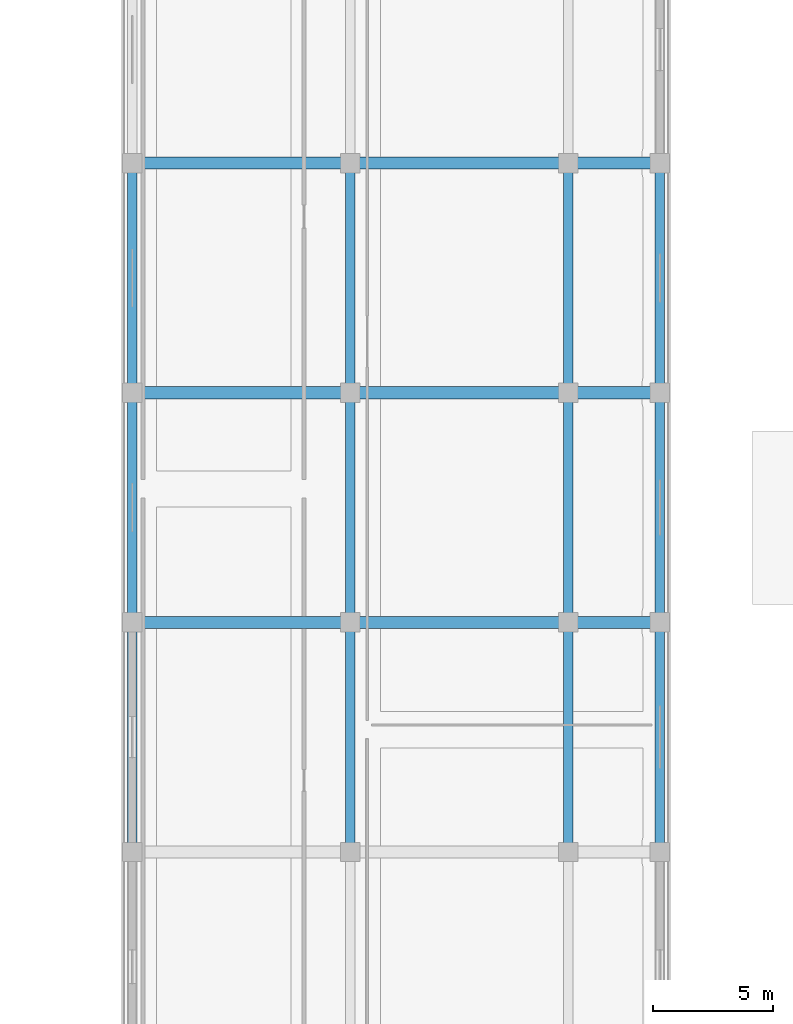
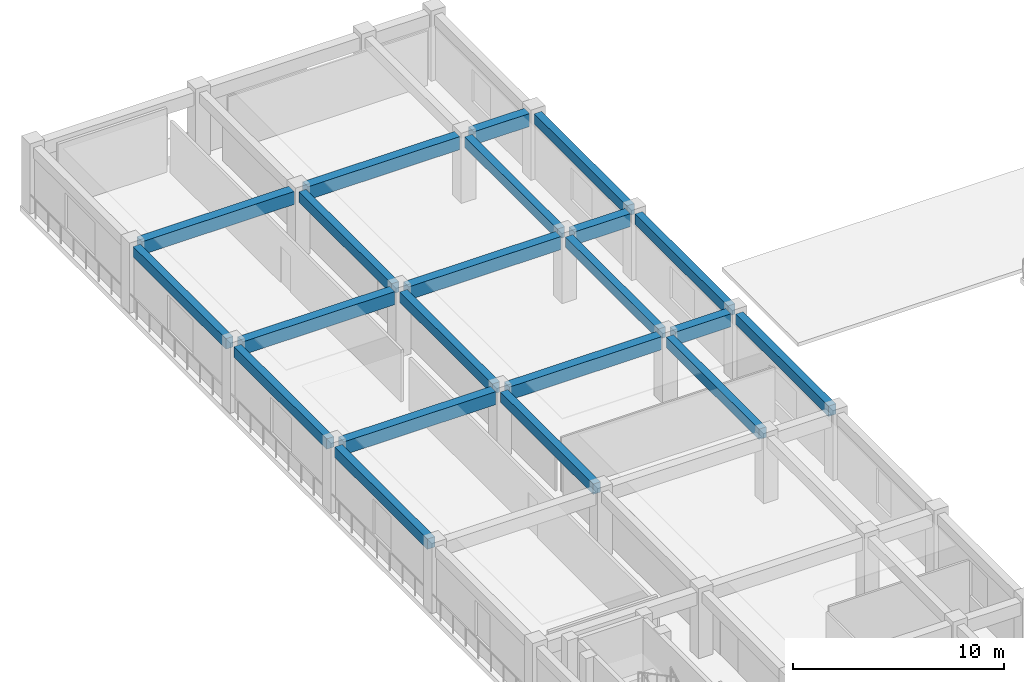
# One storey, part 42 of 87: 21 beams.
"""IFC4 building model written with IfcOpenShell, lengths in metres."""

from ifc_helpers import new_model, si_unit, direction, frame, origin, origin_2d, place, context, subcontext, project, spatial, rectangle, extrude, material, material_profile, profile_set, type_object, element, save


model = new_model("IFC4")

# Units and contexts
model_context = context("Model", 3, precision=1e-05, world=origin(), true_north=direction((0.0, 1.0)))
body_context = subcontext(model_context, "Body", "Model", "MODEL_VIEW")
ifc_project = project(units=[si_unit("LENGTHUNIT", "METRE"), si_unit("AREAUNIT", "SQUARE_METRE"), si_unit("VOLUMEUNIT", "CUBIC_METRE"), si_unit("PLANEANGLEUNIT", "RADIAN"), si_unit("MASSUNIT", "GRAM", prefix="KILO")], contexts=[model_context])

# Site, building, storey
site_placement = place(None, origin())
site = spatial("IfcSite", under=ifc_project, at=site_placement, CompositionType="ELEMENT")
building_placement = place(site_placement, origin())
building = spatial("IfcBuilding", under=site, at=building_placement, Name="Saryqyr Civic Hall", CompositionType="ELEMENT")
storey_placement = place(building_placement, frame((0.0, 0.0, 5.10009765625)))
storey = spatial("IfcBuildingStorey", under=building, at=storey_placement, Name="L01", CompositionType="ELEMENT", Elevation=5.10009765625)

# Beams
ifc_material_1 = material(Name="Concrete C35/45", Category="concrete")
ifc_material_profile_1 = material_profile(ifc_material_1, rectangle(XDim=0.39990234375, YDim=0.60009765625, at=origin_2d()), Name="RC 400x600")
ifc_profile_set_1 = profile_set([ifc_material_profile_1], Name="Concrete C35/45")
beam_type_1 = type_object("IfcBeamType", Name="STR-BM-RC400x600", PredefinedType="BEAM", material=ifc_profile_set_1)
for number, where, z_axis, x_axis, name in (
    (1, (8.050048828125, 127.5048828125, 3.469970703125), (0.0, 1.0, 0.0), (-1.0, 0.0, 0.0), "Beam V3-BM-NS-1-4-L01"),
    (2, (8.050048828125, 137.034912109375, 3.469970703125), (0.0, 1.0, 0.0), (-1.0, 0.0, 0.0), "Beam V3-BM-NS-1-5-L01"),
    (3, (8.050048828125, 146.56494140625, 3.469970703125), (0.0, 1.0, 0.0), (-1.0, 0.0, 0.0), "Beam V3-BM-NS-1-6-L01"),
    (4, (17.10009765625, 127.5048828125, 3.469970703125), (0.0, 1.0, 0.0), (-1.0, 0.0, 0.0), "Beam V3-BM-NS-2-4-L01"),
    (5, (17.10009765625, 137.034912109375, 3.469970703125), (0.0, 1.0, 0.0), (-1.0, 0.0, 0.0), "Beam V3-BM-NS-2-5-L01"),
    (6, (17.10009765625, 146.56494140625, 3.469970703125), (0.0, 1.0, 0.0), (-1.0, 0.0, 0.0), "Beam V3-BM-NS-2-6-L01"),
    (7, (26.14990234375, 127.5048828125, 3.469970703125), (0.0, 1.0, 0.0), (-1.0, 0.0, 0.0), "Beam V3-BM-NS-3-4-L01"),
    (8, (26.14990234375, 137.034912109375, 3.469970703125), (0.0, 1.0, 0.0), (-1.0, 0.0, 0.0), "Beam V3-BM-NS-3-5-L01"),
    (9, (26.14990234375, 146.56494140625, 3.469970703125), (0.0, 1.0, 0.0), (-1.0, 0.0, 0.0), "Beam V3-BM-NS-3-6-L01"),
    (10, (29.949951171875, 127.5048828125, 3.469970703125), (0.0, 1.0, 0.0), (-1.0, 0.0, 0.0), "Beam V3-BM-NS-4-4-L01"),
    (11, (29.949951171875, 137.034912109375, 3.469970703125), (0.0, 1.0, 0.0), (-1.0, 0.0, 0.0), "Beam V3-BM-NS-4-5-L01"),
    (12, (29.949951171875, 146.56494140625, 3.469970703125), (0.0, 1.0, 0.0), (-1.0, 0.0, 0.0), "Beam V3-BM-NS-4-6-L01"),
):
    element("IfcBeam", number, at=place(storey_placement, frame(where, z_axis=z_axis, x_axis=x_axis)), inside=storey, type_object=beam_type_1, Name=name, PredefinedType="BEAM", context=body_context, shape_type="SweptSolid", body=[
        extrude(rectangle(XDim=0.39990234375, YDim=0.60009765625, at=origin_2d()), origin(), (0.0, 0.0, 1.0), 8.780029296875),
    ])
ifc_material_2 = material(Name="Concrete C40/50", Category="concrete")
ifc_material_profile_2 = material_profile(ifc_material_2, rectangle(XDim=0.5, YDim=0.75, at=origin_2d()), Name="RC 500x750")
ifc_profile_set_2 = profile_set([ifc_material_profile_2], Name="Concrete C40/50")
beam_type_2 = type_object("IfcBeamType", Name="STR-BM-RC500x750", PredefinedType="BEAM", material=ifc_profile_set_2)
beam_1_placement = place(storey_placement, frame((8.425048828125, 136.659912109375, 3.39501953125), z_axis=(1.0, 0.0, 0.0), x_axis=(0.0, 1.0, 0.0)))
element("IfcBeam", 13, at=beam_1_placement, inside=storey, type_object=beam_type_2, Name="Beam V3-BM-EW-5-1-L01", PredefinedType="BEAM", context=body_context, shape_type="SweptSolid", body=[
    extrude(rectangle(XDim=0.5, YDim=0.75, at=origin_2d()), origin(), (0.0, 0.0, 1.0), 8.300048828125),
])
beam_2_placement = place(storey_placement, frame((17.47509765625, 136.659912109375, 3.39501953125), z_axis=(1.0, 0.0, 0.0), x_axis=(0.0, 1.0, 0.0)))
element("IfcBeam", 14, at=beam_2_placement, inside=storey, type_object=beam_type_2, Name="Beam V3-BM-EW-5-2-L01", PredefinedType="BEAM", context=body_context, shape_type="SweptSolid", body=[
    extrude(rectangle(XDim=0.5, YDim=0.75, at=origin_2d()), origin(), (0.0, 0.0, 1.0), 8.2998046875),
])
beam_3_placement = place(storey_placement, frame((26.52490234375, 136.659912109375, 3.39501953125), z_axis=(1.0, 0.0, 0.0), x_axis=(0.0, 1.0, 0.0)))
element("IfcBeam", 15, at=beam_3_placement, inside=storey, type_object=beam_type_2, Name="Beam V3-BM-EW-5-3-L01", PredefinedType="BEAM", context=body_context, shape_type="SweptSolid", body=[
    extrude(rectangle(XDim=0.5, YDim=0.75, at=origin_2d()), origin(), (0.0, 0.0, 1.0), 3.050048828125),
])
beam_4_placement = place(storey_placement, frame((8.425048828125, 146.18994140625, 3.39501953125), z_axis=(1.0, 0.0, 0.0), x_axis=(0.0, 1.0, 0.0)))
element("IfcBeam", 16, at=beam_4_placement, inside=storey, type_object=beam_type_2, Name="Beam V3-BM-EW-6-1-L01", PredefinedType="BEAM", context=body_context, shape_type="SweptSolid", body=[
    extrude(rectangle(XDim=0.5, YDim=0.75, at=origin_2d()), origin(), (0.0, 0.0, 1.0), 8.300048828125),
])
beam_5_placement = place(storey_placement, frame((17.47509765625, 146.18994140625, 3.39501953125), z_axis=(1.0, 0.0, 0.0), x_axis=(0.0, 1.0, 0.0)))
element("IfcBeam", 17, at=beam_5_placement, inside=storey, type_object=beam_type_2, Name="Beam V3-BM-EW-6-2-L01", PredefinedType="BEAM", context=body_context, shape_type="SweptSolid", body=[
    extrude(rectangle(XDim=0.5, YDim=0.75, at=origin_2d()), origin(), (0.0, 0.0, 1.0), 8.2998046875),
])
beam_6_placement = place(storey_placement, frame((26.52490234375, 146.18994140625, 3.39501953125), z_axis=(1.0, 0.0, 0.0), x_axis=(0.0, 1.0, 0.0)))
element("IfcBeam", 18, at=beam_6_placement, inside=storey, type_object=beam_type_2, Name="Beam V3-BM-EW-6-3-L01", PredefinedType="BEAM", context=body_context, shape_type="SweptSolid", body=[
    extrude(rectangle(XDim=0.5, YDim=0.75, at=origin_2d()), origin(), (0.0, 0.0, 1.0), 3.050048828125),
])
beam_7_placement = place(storey_placement, frame((8.425048828125, 155.719970703125, 3.39501953125), z_axis=(1.0, 0.0, 0.0), x_axis=(0.0, 1.0, 0.0)))
element("IfcBeam", 19, at=beam_7_placement, inside=storey, type_object=beam_type_2, Name="Beam V3-BM-EW-7-1-L01", PredefinedType="BEAM", context=body_context, shape_type="SweptSolid", body=[
    extrude(rectangle(XDim=0.5, YDim=0.75, at=origin_2d()), origin(), (0.0, 0.0, 1.0), 8.300048828125),
])
beam_8_placement = place(storey_placement, frame((17.47509765625, 155.719970703125, 3.39501953125), z_axis=(1.0, 0.0, 0.0), x_axis=(0.0, 1.0, 0.0)))
element("IfcBeam", 20, at=beam_8_placement, inside=storey, type_object=beam_type_2, Name="Beam V3-BM-EW-7-2-L01", PredefinedType="BEAM", context=body_context, shape_type="SweptSolid", body=[
    extrude(rectangle(XDim=0.5, YDim=0.75, at=origin_2d()), origin(), (0.0, 0.0, 1.0), 8.2998046875),
])
beam_9_placement = place(storey_placement, frame((26.52490234375, 155.719970703125, 3.39501953125), z_axis=(1.0, 0.0, 0.0), x_axis=(0.0, 1.0, 0.0)))
element("IfcBeam", 21, at=beam_9_placement, inside=storey, type_object=beam_type_2, Name="Beam V3-BM-EW-7-3-L01", PredefinedType="BEAM", context=body_context, shape_type="SweptSolid", body=[
    extrude(rectangle(XDim=0.5, YDim=0.75, at=origin_2d()), origin(), (0.0, 0.0, 1.0), 3.050048828125),
])

save(model, "model.ifc")
